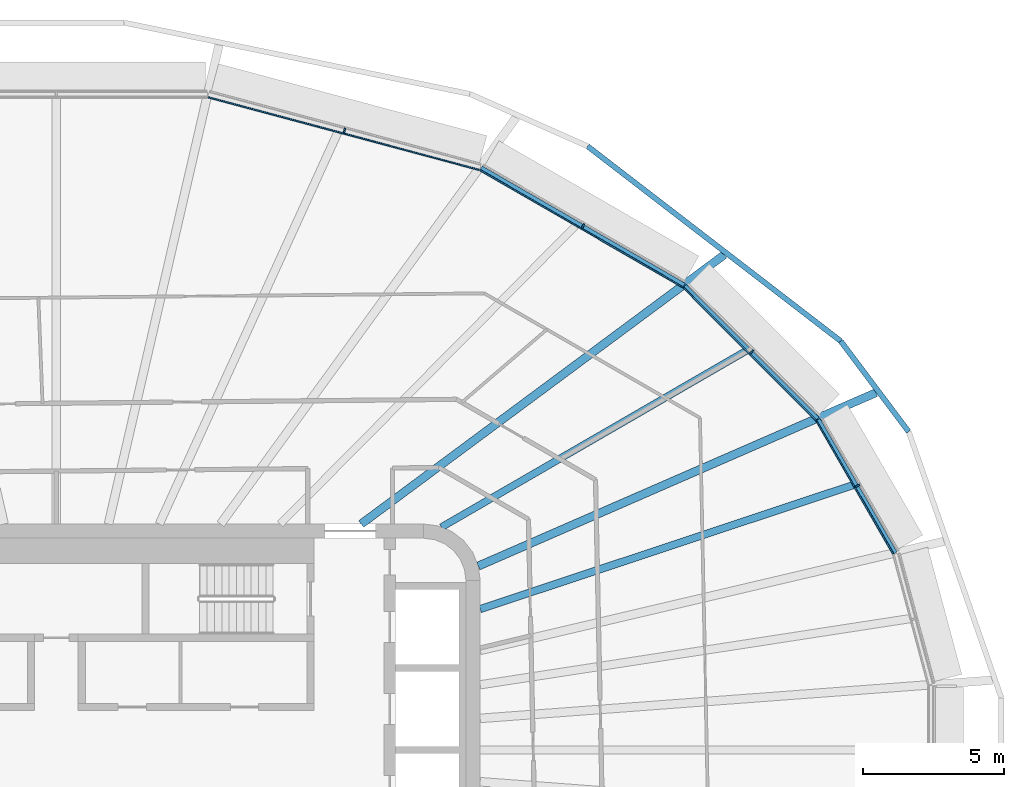
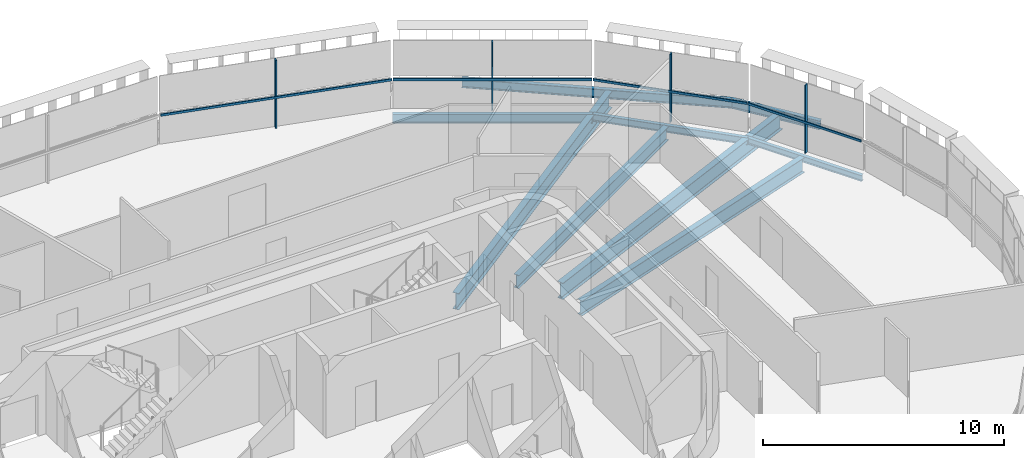
# One storey, part 7 of 22: 9 beams, 8 members, 4 elements without a shape of their own.
"""IFC4 building model written with IfcOpenShell, lengths in metres."""

from ifc_helpers import new_model, si_unit, direction, frame, origin, origin_2d, place, context, subcontext, project, spatial, rectangle, i_section, extrude, material, layer, layer_set, material_profile, profile_set, type_object, element, aggregate, save


model = new_model("IFC4")

# Units and contexts
model_context = context("Model", 3, precision=1e-05, world=origin(), true_north=direction((0.0, 1.0)))
body_context = subcontext(model_context, "Body", "Model", "MODEL_VIEW")
ifc_project = project(units=[si_unit("LENGTHUNIT", "METRE"), si_unit("AREAUNIT", "SQUARE_METRE"), si_unit("VOLUMEUNIT", "CUBIC_METRE"), si_unit("PLANEANGLEUNIT", "RADIAN"), si_unit("MASSUNIT", "GRAM", prefix="KILO")], contexts=[model_context])

# Site, building, storey
site_placement = place(None, origin())
site = spatial("IfcSite", under=ifc_project, at=site_placement, CompositionType="ELEMENT")
building_placement = place(site_placement, origin())
building = spatial("IfcBuilding", under=site, at=building_placement, Name="Sahrelin Media Tower", CompositionType="ELEMENT")
storey_placement = place(building_placement, frame((0.0, 0.0, 177.60009765625)))
storey = spatial("IfcBuildingStorey", under=building, at=storey_placement, Name="L37", CompositionType="ELEMENT", Elevation=177.60009765625)

# Beams
ifc_material_1 = material(Name="Steel S355", Category="steel")
ifc_material_profile_1 = material_profile(ifc_material_1, i_section(OverallWidth=0.1650390625, OverallDepth=0.303466796875, WebThickness=0.006103515625, FlangeThickness=0.01025390625, FilletRadius=0.0087890625, at=origin_2d()), Name="UB 305x165x40")
ifc_profile_set_1 = profile_set([ifc_material_profile_1], Name="Steel S355")
beam_type_1 = type_object("IfcBeamType", Name="Edge beam EB2", PredefinedType="BEAM", material=ifc_profile_set_1)
beam_1_placement = place(storey_placement, frame((26.948974609375, 11.693603515625, -0.3017578125), z_axis=(0.500021926039, -0.86601274441, 0.0), x_axis=(0.86601274441, 0.500021926039, 0.0)))
element("IfcBeam", 1, at=beam_1_placement, inside=storey, type_object=beam_type_1, Name="Edge beam L37-19", PredefinedType="BEAM", context=body_context, shape_type="SweptSolid", body=[
    extrude(i_section(OverallWidth=0.1650390625, OverallDepth=0.303466796875, WebThickness=0.006103515625, FlangeThickness=0.01025390625, FilletRadius=0.0087890625, at=origin_2d()), origin(), (0.0, 0.0, 1.0), 5.457275390625),
])
ifc_material_profile_2 = material_profile(ifc_material_1, i_section(OverallWidth=0.17138671875, OverallDepth=0.35498046875, WebThickness=0.00732421875, FlangeThickness=0.011474609375, FilletRadius=0.01025390625, at=origin_2d()), Name="UB 356x171x51")
ifc_profile_set_2 = profile_set([ifc_material_profile_2], Name="Steel S355")
beam_type_2 = type_object("IfcBeamType", Name="Edge beam EB3", PredefinedType="BEAM", material=ifc_profile_set_2)
beam_2_placement = place(storey_placement, frame((22.232666015625, 16.41552734375, -0.32763671875), z_axis=(0.707088411198, -0.707125150698, 0.0), x_axis=(0.707125150698, 0.707088411198, 0.0)))
element("IfcBeam", 2, at=beam_2_placement, inside=storey, type_object=beam_type_2, Name="Edge beam L37-18", PredefinedType="BEAM", context=body_context, shape_type="SweptSolid", body=[
    extrude(i_section(OverallWidth=0.17138671875, OverallDepth=0.35498046875, WebThickness=0.00732421875, FlangeThickness=0.011474609375, FilletRadius=0.01025390625, at=origin_2d()), origin(), (0.0, 0.0, 1.0), 6.645263671875),
])
ifc_material_profile_3 = material_profile(ifc_material_1, i_section(OverallWidth=0.1904296875, OverallDepth=0.45703125, WebThickness=0.009033203125, FlangeThickness=0.014404296875, FilletRadius=0.01025390625, at=origin_2d()), Name="UB 457x191x74")
ifc_profile_set_3 = profile_set([ifc_material_profile_3], Name="Steel S355")
beam_type_3 = type_object("IfcBeamType", Name="Edge beam EB5", PredefinedType="BEAM", material=ifc_profile_set_3)
beam_3_placement = place(storey_placement, frame((15.022705078125, 20.58251953125, -0.378662109375), z_axis=(0.866025877972, -0.499999178681, 0.0), x_axis=(0.499999178681, 0.866025877972, 0.0)))
element("IfcBeam", 3, at=beam_3_placement, inside=storey, type_object=beam_type_3, Name="Edge beam L37-17", PredefinedType="BEAM", context=body_context, shape_type="SweptSolid", body=[
    extrude(i_section(OverallWidth=0.1904296875, OverallDepth=0.45703125, WebThickness=0.009033203125, FlangeThickness=0.014404296875, FilletRadius=0.01025390625, at=origin_2d()), origin(), (0.0, 0.0, 1.0), 8.298828125),
])

# Curtain wall, member
ifc_material_2 = material(Name="Champagne anodised aluminium 6063-T6", Category="aluminium")
ifc_layer = layer(ifc_material_2, 0.14990234375)
ifc_layer_set = layer_set([ifc_layer], Name="Tower ribbon curtain wall")
curtain_wall_type = type_object("IfcCurtainWallType", Name="Tower ribbon curtain wall", PredefinedType="NOTDEFINED", material=ifc_layer_set)
curtain_wall_1_placement = place(storey_placement, frame((28.443359375, 9.405517578125, 0.0), z_axis=(0.0, 0.0, 1.0), x_axis=(1.0, 0.0, 0.0)))
curtain_wall_1 = element("IfcCurtainWall", 4, at=curtain_wall_1_placement, inside=storey, type_object=curtain_wall_type, Name="L37:CW:L37-02", PredefinedType="NOTDEFINED")
ifc_material_profile_4 = material_profile(ifc_material_2, rectangle(XDim=0.06005859375, YDim=0.175048828125, at=origin_2d()), Name="Mullion 60x175")
ifc_profile_set_4 = profile_set([ifc_material_profile_4], Name="Champagne anodised aluminium 6063-T6")
member_type_1 = type_object("IfcMemberType", Name="Mullion 60x175 CW1B", PredefinedType="MULLION", material=ifc_profile_set_4)
member_1_placement = place(storey_placement, frame((28.35009765625, 9.351806640625, 0.0), z_axis=(0.0, 0.0, 1.0), x_axis=(-0.500004534492, 0.866022785779, 0.0)))
member_1 = element("IfcMember", 5, at=member_1_placement, type_object=member_type_1, Name="L37:CWM:L37-02", PredefinedType="MULLION", context=body_context, shape_type="SweptSolid", body=[
    extrude(rectangle(XDim=0.06005859375, YDim=0.175048828125, at=origin_2d()), origin(), (0.0, 0.0, 1.0), 3.448486328125),
])

curtain_wall_2_placement = place(storey_placement, frame((24.688232421875, 14.172119140625, 0.0), z_axis=(0.0, 0.0, 1.0), x_axis=(1.0, 0.0, 0.0)))
curtain_wall_2 = element("IfcCurtainWall", 6, at=curtain_wall_2_placement, inside=storey, type_object=curtain_wall_type, Name="L37:CW:L37-03", PredefinedType="NOTDEFINED")
member_2_placement = place(storey_placement, frame((24.612060546875, 14.09619140625, 0.0), z_axis=(0.0, 0.0, 1.0), x_axis=(-0.707099376343, 0.707114185953, 0.0)))
member_2 = element("IfcMember", 7, at=member_2_placement, type_object=member_type_1, Name="L37:CWM:L37-03", PredefinedType="MULLION", context=body_context, shape_type="SweptSolid", body=[
    extrude(rectangle(XDim=0.06005859375, YDim=0.175048828125, at=origin_2d()), origin(), (0.0, 0.0, 1.0), 3.448486328125),
])

curtain_wall_3_placement = place(storey_placement, frame((18.691162109375, 18.6376953125, 0.0), z_axis=(0.0, 0.0, 1.0), x_axis=(1.0, 0.0, 0.0)))
curtain_wall_3 = element("IfcCurtainWall", 8, at=curtain_wall_3_placement, inside=storey, type_object=curtain_wall_type, Name="L37:CW:L37-04", PredefinedType="NOTDEFINED")
member_3_placement = place(storey_placement, frame((18.637451171875, 18.544677734375, 0.0), z_axis=(0.0, 0.0, 1.0), x_axis=(-0.866027149108, 0.499996976998, 0.0)))
member_3 = element("IfcMember", 9, at=member_3_placement, type_object=member_type_1, Name="L37:CWM:L37-04", PredefinedType="MULLION", context=body_context, shape_type="SweptSolid", body=[
    extrude(rectangle(XDim=0.06005859375, YDim=0.175048828125, at=origin_2d()), origin(), (0.0, 0.0, 1.0), 3.448486328125),
])

curtain_wall_4_placement = place(storey_placement, frame((10.22509765625, 22.027099609375, 0.0), z_axis=(0.0, 0.0, 1.0), x_axis=(1.0, 0.0, 0.0)))
curtain_wall_4 = element("IfcCurtainWall", 10, at=curtain_wall_4_placement, inside=storey, type_object=curtain_wall_type, Name="L37:CW:L37-05", PredefinedType="NOTDEFINED")
member_4_placement = place(storey_placement, frame((10.197509765625, 21.92333984375, 0.0), z_axis=(0.0, 0.0, 1.0), x_axis=(-0.965927633163, 0.258812301662, 0.0)))
member_4 = element("IfcMember", 11, at=member_4_placement, type_object=member_type_1, Name="L37:CWM:L37-05", PredefinedType="MULLION", context=body_context, shape_type="SweptSolid", body=[
    extrude(rectangle(XDim=0.06005859375, YDim=0.175048828125, at=origin_2d()), origin(), (0.0, 0.0, 1.0), 3.448486328125),
])

# Beams
ifc_material_profile_5 = material_profile(ifc_material_1, i_section(OverallWidth=0.291748046875, OverallDepth=0.8349609375, WebThickness=0.013916015625, FlangeThickness=0.018798828125, FilletRadius=0.017822265625, at=origin_2d()), Name="UB 838x292x176")
ifc_profile_set_5 = profile_set([ifc_material_profile_5], Name="Steel S355")
beam_type_4 = type_object("IfcBeamType", Name="Radial primary beam PB10", PredefinedType="BEAM", material=ifc_profile_set_5)
beam_4_placement = place(storey_placement, frame((14.932861328125, 6.510498046875, -0.567626953125), z_axis=(0.916667884618, 0.399649833367, 0.0), x_axis=(-0.399649833367, 0.916667884618, 0.0)))
element("IfcBeam", 12, at=beam_4_placement, inside=storey, type_object=beam_type_4, Name="Radial beam L37-03", PredefinedType="BEAM", context=body_context, shape_type="SweptSolid", body=[
    extrude(i_section(OverallWidth=0.291748046875, OverallDepth=0.8349609375, WebThickness=0.013916015625, FlangeThickness=0.018798828125, FilletRadius=0.017822265625, at=origin_2d()), origin(), (0.0, 0.0, 1.0), 15.353515625),
])
beam_5_placement = place(storey_placement, frame((10.789306640625, 8.0, -0.567626953125), z_axis=(0.803267440972, 0.595618517403, 0.0), x_axis=(-0.595618517403, 0.803267440972, 0.0)))
element("IfcBeam", 13, at=beam_5_placement, inside=storey, type_object=beam_type_4, Name="Radial beam L37-04", PredefinedType="BEAM", context=body_context, shape_type="SweptSolid", body=[
    extrude(i_section(OverallWidth=0.291748046875, OverallDepth=0.8349609375, WebThickness=0.013916015625, FlangeThickness=0.018798828125, FilletRadius=0.017822265625, at=origin_2d()), origin(), (0.0, 0.0, 1.0), 15.9912109375),
])
ifc_material_profile_6 = material_profile(ifc_material_1, i_section(OverallWidth=0.2529296875, OverallDepth=0.677978515625, WebThickness=0.01171875, FlangeThickness=0.01611328125, FilletRadius=0.01513671875, at=origin_2d()), Name="UB 686x254x125")
ifc_profile_set_6 = profile_set([ifc_material_profile_6], Name="Steel S355")
beam_type_5 = type_object("IfcBeamType", Name="Radial secondary beam SB8", PredefinedType="BEAM", material=ifc_profile_set_6)
beam_6_placement = place(storey_placement, frame((13.628173828125, 7.885986328125, -0.489013671875), z_axis=(0.865530979907, 0.500855391128, 0.0), x_axis=(-0.500855391128, 0.865530979907, 0.0)))
element("IfcBeam", 14, at=beam_6_placement, inside=storey, type_object=beam_type_5, Name="Secondary beam L37-03", PredefinedType="BEAM", context=body_context, shape_type="SweptSolid", body=[
    extrude(i_section(OverallWidth=0.2529296875, OverallDepth=0.677978515625, WebThickness=0.01171875, FlangeThickness=0.01611328125, FilletRadius=0.01513671875, at=origin_2d()), origin(), (0.0, 0.0, 1.0), 12.450927734375),
])
ifc_material_profile_7 = material_profile(ifc_material_1, i_section(OverallWidth=0.26513671875, OverallDepth=0.75390625, WebThickness=0.0126953125, FlangeThickness=0.017578125, FilletRadius=0.0166015625, at=origin_2d()), Name="UB 762x267x147")
ifc_profile_set_7 = profile_set([ifc_material_profile_7], Name="Steel S355")
beam_type_6 = type_object("IfcBeamType", Name="Radial secondary beam SB9", PredefinedType="BEAM", material=ifc_profile_set_7)
beam_7_placement = place(storey_placement, frame((15.0, 4.988037109375, -0.527099609375), z_axis=(0.948909587567, 0.315548086072, 0.0), x_axis=(-0.315548086072, 0.948909587567, 0.0)))
element("IfcBeam", 15, at=beam_7_placement, inside=storey, type_object=beam_type_6, Name="Secondary beam L37-02", PredefinedType="BEAM", context=body_context, shape_type="SweptSolid", body=[
    extrude(i_section(OverallWidth=0.26513671875, OverallDepth=0.75390625, WebThickness=0.0126953125, FlangeThickness=0.017578125, FilletRadius=0.0166015625, at=origin_2d()), origin(), (0.0, 0.0, 1.0), 13.902587890625),
])
ifc_material_profile_8 = material_profile(ifc_material_1, i_section(OverallWidth=0.1904296875, OverallDepth=0.45703125, WebThickness=0.009033203125, FlangeThickness=0.014404296875, FilletRadius=0.01025390625, at=origin_2d()), Name="UB 457x191x74")
ifc_profile_set_8 = profile_set([ifc_material_profile_8], Name="Steel S355")
beam_type_7 = type_object("IfcBeamType", Name="Tie chord TC5", PredefinedType="BEAM", material=ifc_profile_set_8)
beam_8_placement = place(storey_placement, frame((30.161376953125, 11.26611328125, -0.378662109375), z_axis=(-0.600068228926, 0.799948823759, 0.0), x_axis=(-0.799948823759, -0.600068228926, 0.0)))
element("IfcBeam", 16, at=beam_8_placement, inside=storey, type_object=beam_type_7, Name="Tie chord L37-02", PredefinedType="BEAM", context=body_context, shape_type="SweptSolid", body=[
    extrude(i_section(OverallWidth=0.1904296875, OverallDepth=0.45703125, WebThickness=0.009033203125, FlangeThickness=0.014404296875, FilletRadius=0.01025390625, at=origin_2d()), origin(), (0.0, 0.0, 1.0), 4.007568359375),
])
beam_9_placement = place(storey_placement, frame((27.756591796875, 14.471923828125, -0.378662109375), z_axis=(-0.792444846493, 0.609943575477, 0.0), x_axis=(-0.609943575477, -0.792444846493, 0.0)))
element("IfcBeam", 17, at=beam_9_placement, inside=storey, type_object=beam_type_7, Name="Tie chord L37-03", PredefinedType="BEAM", context=body_context, shape_type="SweptSolid", body=[
    extrude(i_section(OverallWidth=0.1904296875, OverallDepth=0.45703125, WebThickness=0.009033203125, FlangeThickness=0.014404296875, FilletRadius=0.01025390625, at=origin_2d()), origin(), (0.0, 0.0, 1.0), 11.300048828125),
])

# Member
ifc_material_profile_9 = material_profile(ifc_material_2, rectangle(XDim=0.050048828125, YDim=0.110107421875, at=origin_2d()), Name="Transom 50x110")
ifc_profile_set_9 = profile_set([ifc_material_profile_9], Name="Champagne anodised aluminium 6063-T6")
member_type_2 = type_object("IfcMemberType", Name="Transom 50x110 CW1B", PredefinedType="USERDEFINED", material=ifc_profile_set_9)
member_5_placement = place(storey_placement, frame((29.609375, 6.946044921875, 1.599853515625), z_axis=(-0.500024950497, 0.866010998129, 0.0), x_axis=(-0.866010998129, -0.500024950497, 0.0)))
member_5 = element("IfcMember", 18, at=member_5_placement, type_object=member_type_2, Name="L37:CWT:L37-02", ObjectType="TRANSOM", PredefinedType="USERDEFINED", context=body_context, shape_type="SweptSolid", body=[
    extrude(rectangle(XDim=0.050048828125, YDim=0.110107421875, at=origin_2d()), origin(), (0.0, 0.0, 1.0), 5.426025390625),
])

aggregate(curtain_wall_1, [member_1, member_5])

member_6_placement = place(storey_placement, frame((26.870849609375, 11.67822265625, 1.599853515625), z_axis=(-0.707088323929, 0.707125237963, 0.0), x_axis=(-0.707125237963, -0.707088323929, 0.0)))
member_6 = element("IfcMember", 19, at=member_6_placement, type_object=member_type_2, Name="L37:CWT:L37-03", ObjectType="TRANSOM", PredefinedType="USERDEFINED", context=body_context, shape_type="SweptSolid", body=[
    extrude(rectangle(XDim=0.050048828125, YDim=0.110107421875, at=origin_2d()), origin(), (0.0, 0.0, 1.0), 6.61376953125),
])

aggregate(curtain_wall_2, [member_2, member_6])

member_7_placement = place(storey_placement, frame((22.1611328125, 16.38037109375, 1.599853515625), z_axis=(-0.866024781634, 0.500001077595, 0.0), x_axis=(-0.500001077595, -0.866024781634, 0.0)))
member_7 = element("IfcMember", 20, at=member_7_placement, type_object=member_type_2, Name="L37:CWT:L37-04", ObjectType="TRANSOM", PredefinedType="USERDEFINED", context=body_context, shape_type="SweptSolid", body=[
    extrude(rectangle(XDim=0.050048828125, YDim=0.110107421875, at=origin_2d()), origin(), (0.0, 0.0, 1.0), 8.267578125),
])

aggregate(curtain_wall_3, [member_3, member_7])

member_8_placement = place(storey_placement, frame((14.962646484375, 20.530029296875, 1.599853515625), z_axis=(-0.965924009595, 0.258825825003, 0.0), x_axis=(-0.258825825003, -0.965924009595, 0.0)))
member_8 = element("IfcMember", 21, at=member_8_placement, type_object=member_type_2, Name="L37:CWT:L37-05", ObjectType="TRANSOM", PredefinedType="USERDEFINED", context=body_context, shape_type="SweptSolid", body=[
    extrude(rectangle(XDim=0.050048828125, YDim=0.110107421875, at=origin_2d()), origin(), (0.0, 0.0, 1.0), 9.927001953125),
])

aggregate(curtain_wall_4, [member_4, member_8])

save(model, "model.ifc")
